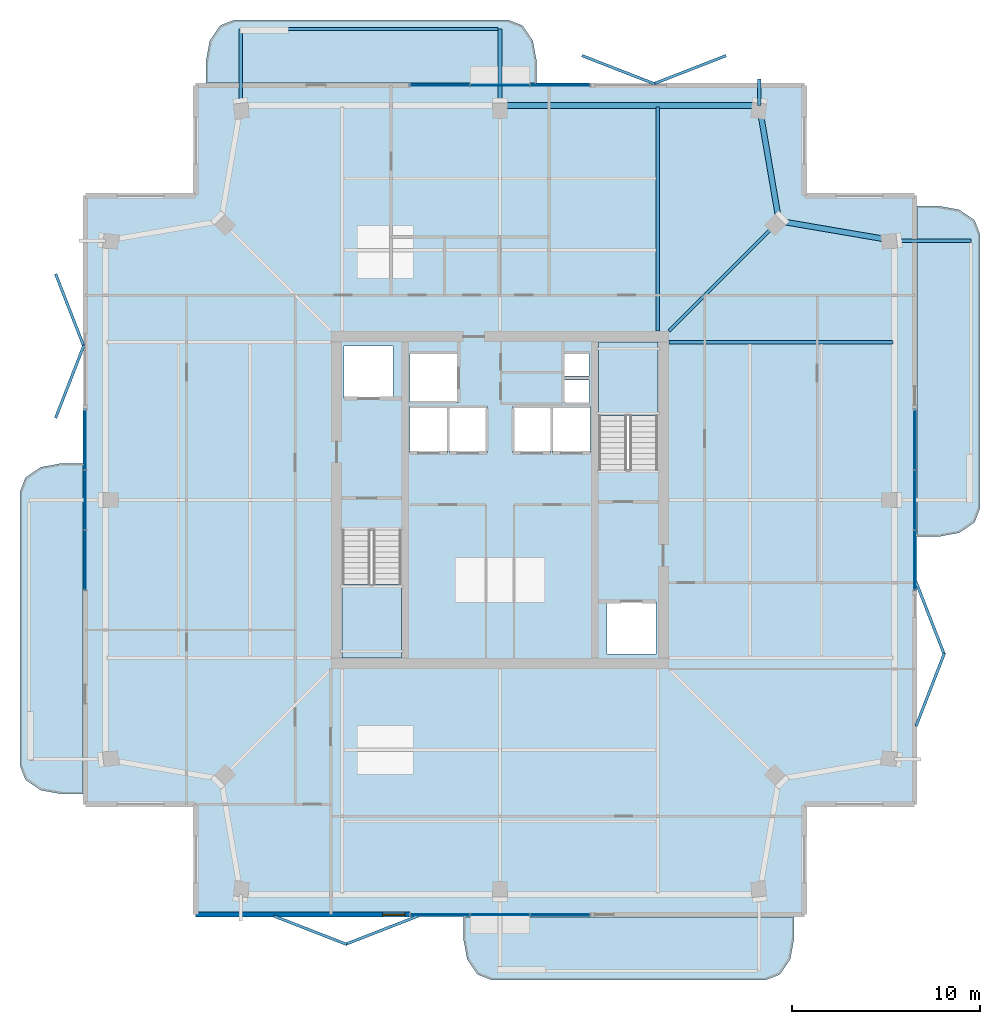
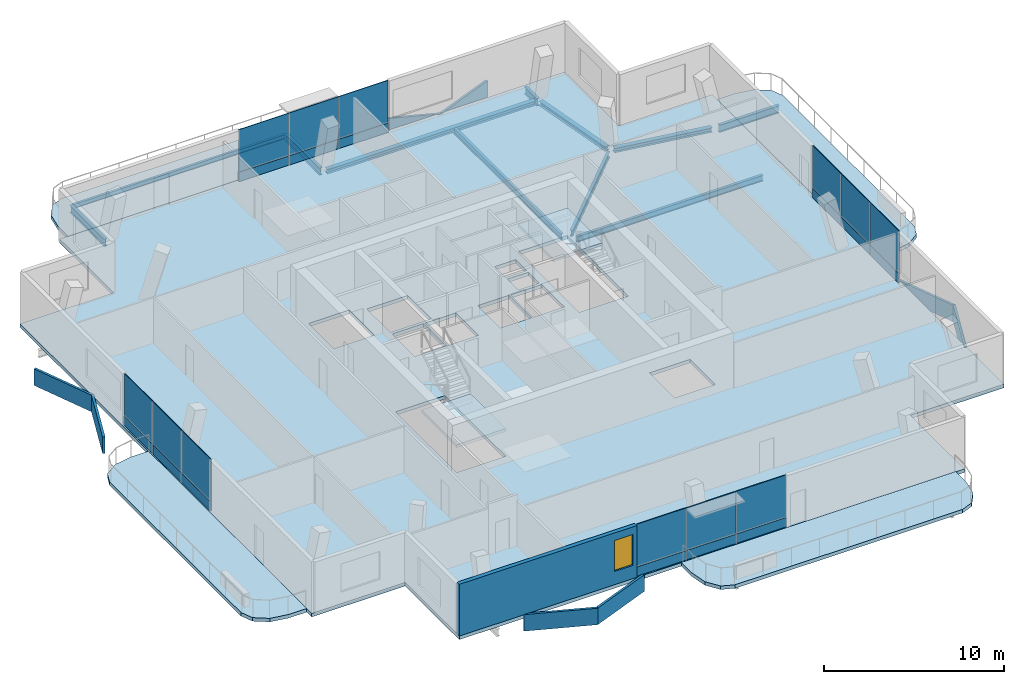
# One storey, part 12 of 19: 32 plates, 11 beams, 7 slabs, 1 wall, 1 window, 1 opening, 6 elements without a shape of their own.
"""IFC4 building model written with IfcOpenShell, lengths in metres."""

from ifc_helpers import new_model, si_unit, direction, frame, frame_2d, origin, origin_2d, place, context, subcontext, project, spatial, polyline, rectangle, i_section, outline, extrude, material, layer, layer_set, material_profile, profile_set, type_object, element, fill, aggregate, save


model = new_model("IFC4")

# Units and contexts
model_context = context("Model", 3, precision=1e-05, world=origin(), true_north=direction((0.0, 1.0)))
body_context = subcontext(model_context, "Body", "Model", "MODEL_VIEW")
ifc_project = project(units=[si_unit("LENGTHUNIT", "METRE"), si_unit("AREAUNIT", "SQUARE_METRE"), si_unit("VOLUMEUNIT", "CUBIC_METRE"), si_unit("PLANEANGLEUNIT", "RADIAN"), si_unit("MASSUNIT", "GRAM", prefix="KILO")], contexts=[model_context])

# Site, building, storey
site_placement = place(None, origin())
site = spatial("IfcSite", under=ifc_project, at=site_placement, CompositionType="ELEMENT")
building_placement = place(site_placement, origin())
building = spatial("IfcBuilding", under=site, at=building_placement, Name="Belovzor Exchange Tower", CompositionType="ELEMENT")
storey_placement = place(building_placement, frame((0.0, 0.0, 340.5)))
storey = spatial("IfcBuildingStorey", under=building, at=storey_placement, Name="L85", CompositionType="ELEMENT", Elevation=340.5)

# Beams
ifc_material_1 = material(Name="Steel S355", Category="steel")
ifc_material_profile_1 = material_profile(ifc_material_1, i_section(OverallWidth=0.199951171875, OverallDepth=0.5, WebThickness=0.01025390625, FlangeThickness=0.01611328125, at=origin_2d()))
ifc_profile_set_1 = profile_set([ifc_material_profile_1], Name="Steel S355")
beam_type_1 = type_object("IfcBeamType", Name="Planted Balcony Cantilever Beam IPE 500", PredefinedType="BEAM", material=ifc_profile_set_1)
for number, where, z_axis, x_axis, name in (
    (1, (28.800048828125, 50.02001953125, -0.489990234375), (0.0, 1.0, 0.0), (-1.0, 0.0, 0.0), "BC-500 Planted Balcony Cantilever Beam IPE 500"),
    (2, (15.0, 50.02001953125, -0.489990234375), (0.0, 1.0, 0.0), (-1.0, 0.0, 0.0), "BC-500 Planted Balcony Cantilever Beam IPE 500"),
    (3, (50.02001953125, 42.60009765625, -0.489990234375), (1.0, 0.0, 0.0), (0.0, 1.0, 0.0), "BC-500 Planted Balcony Cantilever Beam IPE 500"),
):
    element("IfcBeam", number, at=place(storey_placement, frame(where, z_axis=z_axis, x_axis=x_axis)), inside=storey, type_object=beam_type_1, Name=name, PredefinedType="BEAM", context=body_context, shape_type="SweptSolid", body=[
        extrude(i_section(OverallWidth=0.199951171875, OverallDepth=0.5, WebThickness=0.01025390625, FlangeThickness=0.01611328125, at=origin_2d()), origin(), (0.0, 0.0, 1.0), 3.85009765625),
    ])
beam_1_placement = place(storey_placement, frame((42.60009765625, 49.800048828125, -0.489990234375), z_axis=(0.0, 1.0, 0.0), x_axis=(-1.0, 0.0, 0.0)))
element("IfcBeam", 4, at=beam_1_placement, inside=storey, type_object=beam_type_1, Name="BC-500 Planted Balcony Cantilever Beam IPE 500", PredefinedType="BEAM", context=body_context, shape_type="SweptSolid", body=[
    extrude(i_section(OverallWidth=0.199951171875, OverallDepth=0.5, WebThickness=0.01025390625, FlangeThickness=0.01611328125, at=origin_2d()), origin(), (0.0, 0.0, 1.0), 1.39990234375),
])
ifc_material_2 = material(Name="Steel S355", Category="steel")
ifc_material_profile_2 = material_profile(ifc_material_2, i_section(OverallWidth=0.14990234375, OverallDepth=0.300048828125, WebThickness=0.007080078125, FlangeThickness=0.0107421875, at=origin_2d()))
ifc_profile_set_2 = profile_set([ifc_material_profile_2], Name="Steel S355")
beam_type_2 = type_object("IfcBeamType", Name="Planted Balcony Fascia Edge Beam IPE 300", PredefinedType="BEAM", material=ifc_profile_set_2)
beam_2_placement = place(storey_placement, frame((28.699951171875, 53.8701171875, -0.389892578125), z_axis=(-1.0, 0.0, 0.0), x_axis=(0.0, -1.0, 0.0)))
element("IfcBeam", 5, at=beam_2_placement, inside=storey, type_object=beam_type_2, Name="BC-300 Planted Balcony Fascia Edge Beam IPE 300", PredefinedType="BEAM", context=body_context, shape_type="SweptSolid", body=[
    extrude(i_section(OverallWidth=0.14990234375, OverallDepth=0.300048828125, WebThickness=0.007080078125, FlangeThickness=0.0107421875, at=origin_2d()), origin(), (0.0, 0.0, 1.0), 13.599853515625),
])
ifc_material_3 = material(Name="Steel S355", Category="steel")
ifc_material_profile_3 = material_profile(ifc_material_3, i_section(OverallWidth=0.179931640625, OverallDepth=0.39990234375, WebThickness=0.008544921875, FlangeThickness=0.013427734375, at=origin_2d()))
ifc_profile_set_3 = profile_set([ifc_material_profile_3], Name="Steel S355")
beam_type_3 = type_object("IfcBeamType", Name="Zone 5-6 Radial Composite Floor Beam IPE 400", PredefinedType="BEAM", material=ifc_profile_set_3)
for number, where, z_axis, x_axis, name in (
    (6, (37.199951171875, 37.800048828125, -0.43994140625), (0.0, 1.0, 0.0), (-1.0, 0.0, 0.0), "FB-400 Zone 5-6 Radial Composite Floor Beam IPE 400"),
    (7, (37.800048828125, 37.199951171875, -0.43994140625), (1.0, 0.0, 0.0), (0.0, 1.0, 0.0), "FB-400 Zone 5-6 Radial Composite Floor Beam IPE 400"),
):
    element("IfcBeam", number, at=place(storey_placement, frame(where, z_axis=z_axis, x_axis=x_axis)), inside=storey, type_object=beam_type_3, Name=name, PredefinedType="BEAM", context=body_context, shape_type="SweptSolid", body=[
        extrude(i_section(OverallWidth=0.179931640625, OverallDepth=0.39990234375, WebThickness=0.008544921875, FlangeThickness=0.013427734375, at=origin_2d()), origin(), (0.0, 0.0, 1.0), 11.925048828125),
    ])
beam_3_placement = place(storey_placement, frame((37.800048828125, 37.800048828125, -0.43994140625), z_axis=(0.707106781187, 0.707106781187, 0.0), x_axis=(-0.707106781187, 0.707106781187, 0.0)))
element("IfcBeam", 8, at=beam_3_placement, inside=storey, type_object=beam_type_3, Name="FB-400 Zone 5-6 Radial Composite Floor Beam IPE 400", PredefinedType="BEAM", context=body_context, shape_type="SweptSolid", body=[
    extrude(i_section(OverallWidth=0.179931640625, OverallDepth=0.39990234375, WebThickness=0.008544921875, FlangeThickness=0.013427734375, at=origin_2d()), origin(), (0.0, 0.0, 1.0), 7.990234375),
])
ifc_material_4 = material(Name="Steel S355", Category="steel")
ifc_material_profile_4 = material_profile(ifc_material_4, i_section(OverallWidth=0.300048828125, OverallDepth=0.300048828125, WebThickness=0.008544921875, FlangeThickness=0.013916015625, at=origin_2d()))
ifc_profile_set_4 = profile_set([ifc_material_profile_4], Name="Steel S355")
beam_type_4 = type_object("IfcBeamType", Name="Zone 6 Primary Girder HEA 300", PredefinedType="BEAM", material=ifc_profile_set_4)
for number, where, z_axis, x_axis, name in (
    (9, (49.5830078125, 42.636962890625, -0.389892578125), (-0.98573182557, 0.168323403179, 0.0), (-0.168323403179, -0.98573182557, 0.0), "FG-Z6 Zone 6 Primary Girder HEA 300"),
    (10, (43.613037109375, 43.866943359375, -0.389892578125), (-0.168323403179, 0.98573182557, 0.0), (-0.98573182557, -0.168323403179, 0.0), "FG-Z6 Zone 6 Primary Girder HEA 300"),
):
    element("IfcBeam", number, at=place(storey_placement, frame(where, z_axis=z_axis, x_axis=x_axis)), inside=storey, type_object=beam_type_4, Name=name, PredefinedType="BEAM", context=body_context, shape_type="SweptSolid", body=[
        extrude(i_section(OverallWidth=0.300048828125, OverallDepth=0.300048828125, WebThickness=0.008544921875, FlangeThickness=0.013916015625, at=origin_2d()), origin(), (0.0, 0.0, 1.0), 5.798828125),
    ])
beam_4_placement = place(storey_placement, frame((42.3798828125, 49.800048828125, -0.389892578125), z_axis=(-1.0, 0.0, 0.0), x_axis=(0.0, -1.0, 0.0)))
element("IfcBeam", 11, at=beam_4_placement, inside=storey, type_object=beam_type_4, Name="FG-Z6 Zone 6 Primary Girder HEA 300", PredefinedType="BEAM", context=body_context, shape_type="SweptSolid", body=[
    extrude(i_section(OverallWidth=0.300048828125, OverallDepth=0.300048828125, WebThickness=0.008544921875, FlangeThickness=0.013916015625, at=origin_2d()), origin(), (0.0, 0.0, 1.0), 13.35986328125),
])

# Slab
ifc_material_5 = material(Name="Concrete C40/50", Category="concrete")
ifc_layer_1 = layer(ifc_material_5, 0.239990234375)
ifc_layer_set_1 = layer_set([ifc_layer_1], Name="Concrete C40/50")
slab_type_1 = type_object("IfcSlabType", Name="Composite High-Rise Floor Deck Slab 240", PredefinedType="FLOOR", material=ifc_layer_set_1)
slab_1_placement = place(storey_placement, frame((0.0, 0.0, -0.239990234375)))
element("IfcSlab", 12, at=slab_1_placement, inside=storey, type_object=slab_type_1, Name="SL-F240 Structural Slab L85", PredefinedType="FLOOR", context=body_context, shape_type="SweptSolid", body=[
    extrude(outline(polyline([(12.60009765625, 6.60009765625), (45.0, 6.60009765625), (45.0, 12.60009765625), (51.0, 12.60009765625), (51.0, 45.0), (45.0, 45.0), (45.0, 51.0), (12.60009765625, 51.0), (12.60009765625, 45.0), (6.60009765625, 45.0), (6.60009765625, 12.60009765625), (12.60009765625, 12.60009765625), (12.60009765625, 6.60009765625)]), holes=[polyline([(20.39990234375, 27.175048828125), (20.39990234375, 20.39990234375), (23.550048828125, 20.39990234375), (23.550048828125, 27.175048828125), (20.39990234375, 27.175048828125)]), polyline([(37.199951171875, 30.425048828125), (37.199951171875, 37.199951171875), (34.050048828125, 37.199951171875), (34.050048828125, 30.425048828125), (37.199951171875, 30.425048828125)]), polyline([(20.5, 34.199951171875), (23.10009765625, 34.199951171875), (23.10009765625, 37.0), (20.5, 37.0), (20.5, 34.199951171875)]), polyline([(34.5, 20.60009765625), (37.10009765625, 20.60009765625), (37.10009765625, 23.39990234375), (34.5, 23.39990234375), (34.5, 20.60009765625)]), polyline([(24.0, 34.0), (26.60009765625, 34.0), (26.60009765625, 36.60009765625), (24.0, 36.60009765625), (24.0, 34.0)]), polyline([(24.0, 31.300048828125), (26.0, 31.300048828125), (26.0, 33.800048828125), (24.0, 33.800048828125), (24.0, 31.300048828125)]), polyline([(26.10009765625, 31.300048828125), (28.10009765625, 31.300048828125), (28.10009765625, 33.800048828125), (26.10009765625, 33.800048828125), (26.10009765625, 31.300048828125)]), polyline([(29.5, 31.300048828125), (31.5, 31.300048828125), (31.5, 33.800048828125), (29.5, 33.800048828125), (29.5, 31.300048828125)]), polyline([(31.60009765625, 31.300048828125), (33.60009765625, 31.300048828125), (33.60009765625, 33.800048828125), (31.60009765625, 33.800048828125), (31.60009765625, 31.300048828125)]), polyline([(32.199951171875, 34.0), (33.550048828125, 34.0), (33.550048828125, 35.199951171875), (32.199951171875, 35.199951171875), (32.199951171875, 34.0)]), polyline([(32.199951171875, 35.39990234375), (33.550048828125, 35.39990234375), (33.550048828125, 36.60009765625), (32.199951171875, 36.60009765625), (32.199951171875, 35.39990234375)])]), origin(), (0.0, 0.0, 1.0), 0.239990234375),
])

# Curtain wall, plates
ifc_material_6 = material(Name="Anodised Aluminium Framing", Category="aluminium")
ifc_layer_2 = layer(ifc_material_6, 0.179931640625)
ifc_layer_set_2 = layer_set([ifc_layer_2], Name="Anodised Aluminium Framing")
curtain_wall_type = type_object("IfcCurtainWallType", Name="Recessed Loggia Low-Iron Triple-Glazed Curtain Wall", PredefinedType="NOTDEFINED", material=ifc_layer_set_2)
curtain_wall_1_placement = place(storey_placement, origin())
curtain_wall_1 = element("IfcCurtainWall", 13, at=curtain_wall_1_placement, inside=storey, type_object=curtain_wall_type, Name="CW3 Recessed Loggia Low-Iron Triple-Glazed Curtain Wall L85", PredefinedType="NOTDEFINED")
ifc_material_7 = material(Name="Solar-Control Triple Glazing", Category="glass")
ifc_layer_3 = layer(ifc_material_7, 0.0439453125)
ifc_layer_set_3 = layer_set([ifc_layer_3], Name="Solar-Control Triple Glazing")
plate_type_1 = type_object("IfcPlateType", Name="Insulated Solar Glazing Curtain Panel 44", PredefinedType="CURTAIN_PANEL", material=ifc_layer_set_3)
plate_1_placement = place(storey_placement, frame((32.0, 6.72998046875, 0.634033203125), z_axis=(0.0, 0.0, 1.0), x_axis=(-1.0, 0.0, 0.0)))
plate_1 = element("IfcPlate", 14, at=plate_1_placement, type_object=plate_type_1, Name="GLZ-44 Glazed Curtain Panel 1", PredefinedType="CURTAIN_PANEL", context=body_context, shape_type="SweptSolid", body=[
    extrude(rectangle(XDim=3.18408203125, YDim=0.0439453125, at=origin_2d()), origin(), (0.0, 0.0, 1.0), 2.8759765625),
])
plate_2_placement = place(storey_placement, frame((28.800048828125, 6.72998046875, 0.634033203125), z_axis=(0.0, 0.0, 1.0), x_axis=(-1.0, 0.0, 0.0)))
plate_2 = element("IfcPlate", 15, at=plate_2_placement, type_object=plate_type_1, Name="GLZ-44 Glazed Curtain Panel 2", PredefinedType="CURTAIN_PANEL", context=body_context, shape_type="SweptSolid", body=[
    extrude(rectangle(XDim=3.18408203125, YDim=0.0439453125, at=origin_2d()), origin(), (0.0, 0.0, 1.0), 2.8759765625),
])
plate_3_placement = place(storey_placement, frame((25.60009765625, 6.72998046875, 0.634033203125), z_axis=(0.0, 0.0, 1.0), x_axis=(-1.0, 0.0, 0.0)))
plate_3 = element("IfcPlate", 16, at=plate_3_placement, type_object=plate_type_1, Name="GLZ-44 Glazed Curtain Panel 3", PredefinedType="CURTAIN_PANEL", context=body_context, shape_type="SweptSolid", body=[
    extrude(rectangle(XDim=3.18408203125, YDim=0.0439453125, at=origin_2d()), origin(), (0.0, 0.0, 1.0), 2.8759765625),
])

curtain_wall_2_placement = place(storey_placement, origin())
curtain_wall_2 = element("IfcCurtainWall", 17, at=curtain_wall_2_placement, inside=storey, type_object=curtain_wall_type, Name="CW3 Recessed Loggia Low-Iron Triple-Glazed Curtain Wall L85", PredefinedType="NOTDEFINED")
plate_4_placement = place(storey_placement, frame((25.60009765625, 50.8701171875, 0.634033203125), z_axis=(0.0, 0.0, 1.0), x_axis=(1.0, 0.0, 0.0)))
plate_4 = element("IfcPlate", 18, at=plate_4_placement, type_object=plate_type_1, Name="GLZ-44 Glazed Curtain Panel 1", PredefinedType="CURTAIN_PANEL", context=body_context, shape_type="SweptSolid", body=[
    extrude(rectangle(XDim=3.18408203125, YDim=0.0439453125, at=origin_2d()), origin(), (0.0, 0.0, 1.0), 2.8759765625),
])
plate_5_placement = place(storey_placement, frame((28.800048828125, 50.8701171875, 0.634033203125), z_axis=(0.0, 0.0, 1.0), x_axis=(1.0, 0.0, 0.0)))
plate_5 = element("IfcPlate", 19, at=plate_5_placement, type_object=plate_type_1, Name="GLZ-44 Glazed Curtain Panel 2", PredefinedType="CURTAIN_PANEL", context=body_context, shape_type="SweptSolid", body=[
    extrude(rectangle(XDim=3.18408203125, YDim=0.0439453125, at=origin_2d()), origin(), (0.0, 0.0, 1.0), 2.8759765625),
])
plate_6_placement = place(storey_placement, frame((32.0, 50.8701171875, 0.634033203125), z_axis=(0.0, 0.0, 1.0), x_axis=(1.0, 0.0, 0.0)))
plate_6 = element("IfcPlate", 20, at=plate_6_placement, type_object=plate_type_1, Name="GLZ-44 Glazed Curtain Panel 3", PredefinedType="CURTAIN_PANEL", context=body_context, shape_type="SweptSolid", body=[
    extrude(rectangle(XDim=3.18408203125, YDim=0.0439453125, at=origin_2d()), origin(), (0.0, 0.0, 1.0), 2.8759765625),
])

curtain_wall_3_placement = place(storey_placement, origin())
curtain_wall_3 = element("IfcCurtainWall", 21, at=curtain_wall_3_placement, inside=storey, type_object=curtain_wall_type, Name="CW3 Recessed Loggia Low-Iron Triple-Glazed Curtain Wall L85", PredefinedType="NOTDEFINED")
plate_7_placement = place(storey_placement, frame((6.72998046875, 25.60009765625, 0.634033203125), z_axis=(0.0, 0.0, 1.0), x_axis=(0.0, 1.0, 0.0)))
plate_7 = element("IfcPlate", 22, at=plate_7_placement, type_object=plate_type_1, Name="GLZ-44 Glazed Curtain Panel 1", PredefinedType="CURTAIN_PANEL", context=body_context, shape_type="SweptSolid", body=[
    extrude(rectangle(XDim=3.18408203125, YDim=0.0439453125, at=origin_2d()), origin(), (0.0, 0.0, 1.0), 2.8759765625),
])
plate_8_placement = place(storey_placement, frame((6.72998046875, 28.800048828125, 0.634033203125), z_axis=(0.0, 0.0, 1.0), x_axis=(0.0, 1.0, 0.0)))
plate_8 = element("IfcPlate", 23, at=plate_8_placement, type_object=plate_type_1, Name="GLZ-44 Glazed Curtain Panel 2", PredefinedType="CURTAIN_PANEL", context=body_context, shape_type="SweptSolid", body=[
    extrude(rectangle(XDim=3.18408203125, YDim=0.0439453125, at=origin_2d()), origin(), (0.0, 0.0, 1.0), 2.8759765625),
])
plate_9_placement = place(storey_placement, frame((6.72998046875, 32.0, 0.634033203125), z_axis=(0.0, 0.0, 1.0), x_axis=(0.0, 1.0, 0.0)))
plate_9 = element("IfcPlate", 24, at=plate_9_placement, type_object=plate_type_1, Name="GLZ-44 Glazed Curtain Panel 3", PredefinedType="CURTAIN_PANEL", context=body_context, shape_type="SweptSolid", body=[
    extrude(rectangle(XDim=3.18408203125, YDim=0.0439453125, at=origin_2d()), origin(), (0.0, 0.0, 1.0), 2.8759765625),
])

curtain_wall_4_placement = place(storey_placement, origin())
curtain_wall_4 = element("IfcCurtainWall", 25, at=curtain_wall_4_placement, inside=storey, type_object=curtain_wall_type, Name="CW3 Recessed Loggia Low-Iron Triple-Glazed Curtain Wall L85", PredefinedType="NOTDEFINED")
plate_10_placement = place(storey_placement, frame((50.8701171875, 32.0, 0.634033203125), z_axis=(0.0, 0.0, 1.0), x_axis=(0.0, -1.0, 0.0)))
plate_10 = element("IfcPlate", 26, at=plate_10_placement, type_object=plate_type_1, Name="GLZ-44 Glazed Curtain Panel 1", PredefinedType="CURTAIN_PANEL", context=body_context, shape_type="SweptSolid", body=[
    extrude(rectangle(XDim=3.18408203125, YDim=0.0439453125, at=origin_2d()), origin(), (0.0, 0.0, 1.0), 2.8759765625),
])
plate_11_placement = place(storey_placement, frame((50.8701171875, 28.800048828125, 0.634033203125), z_axis=(0.0, 0.0, 1.0), x_axis=(0.0, -1.0, 0.0)))
plate_11 = element("IfcPlate", 27, at=plate_11_placement, type_object=plate_type_1, Name="GLZ-44 Glazed Curtain Panel 2", PredefinedType="CURTAIN_PANEL", context=body_context, shape_type="SweptSolid", body=[
    extrude(rectangle(XDim=3.18408203125, YDim=0.0439453125, at=origin_2d()), origin(), (0.0, 0.0, 1.0), 2.8759765625),
])
plate_12_placement = place(storey_placement, frame((50.8701171875, 25.60009765625, 0.634033203125), z_axis=(0.0, 0.0, 1.0), x_axis=(0.0, -1.0, 0.0)))
plate_12 = element("IfcPlate", 28, at=plate_12_placement, type_object=plate_type_1, Name="GLZ-44 Glazed Curtain Panel 3", PredefinedType="CURTAIN_PANEL", context=body_context, shape_type="SweptSolid", body=[
    extrude(rectangle(XDim=3.18408203125, YDim=0.0439453125, at=origin_2d()), origin(), (0.0, 0.0, 1.0), 2.8759765625),
])

# Stair, slab
ifc_material_8 = material(Name="Concrete C40/50", Category="concrete")
stair_type = type_object("IfcStairType", Name="Reinforced Concrete Dogleg Escape Stair 1350", PredefinedType="HALF_TURN_STAIR", material=ifc_material_8)
stair_1_placement = place(storey_placement, origin())
stair_1 = element("IfcStair", 29, at=stair_1_placement, inside=storey, type_object=stair_type, Name="L85 ST-1", PredefinedType="HALF_TURN_STAIR")
ifc_material_9 = material(Name="Concrete C40/50", Category="concrete")
ifc_layer_4 = layer(ifc_material_9, 0.199951171875)
ifc_layer_set_4 = layer_set([ifc_layer_4], Name="Concrete C40/50")
slab_type_2 = type_object("IfcSlabType", Name="Reinforced Concrete Stair Half-Landing Slab 200", PredefinedType="LANDING", material=ifc_layer_set_4)
slab_2_placement = place(storey_placement, frame((0.0, 0.0, 1.675048828125)))
slab_2 = element("IfcSlab", 30, at=slab_2_placement, type_object=slab_type_2, Name="ST-1 landing 1", PredefinedType="LANDING", context=body_context, shape_type="SweptSolid", body=[
    extrude(outline(polyline([(20.39990234375, 24.300048828125), (20.39990234375, 20.39990234375), (23.550048828125, 20.39990234375), (23.550048828125, 24.300048828125), (20.39990234375, 24.300048828125)])), origin(), (0.0, 0.0, 1.0), 0.199951171875),
])
aggregate(stair_1, [slab_2])

stair_2_placement = place(storey_placement, origin())
stair_2 = element("IfcStair", 31, at=stair_2_placement, inside=storey, type_object=stair_type, Name="L85 ST-2", PredefinedType="HALF_TURN_STAIR")
slab_3_placement = place(storey_placement, frame((0.0, 0.0, 1.675048828125)))
slab_3 = element("IfcSlab", 32, at=slab_3_placement, type_object=slab_type_2, Name="ST-2 landing 1", PredefinedType="LANDING", context=body_context, shape_type="SweptSolid", body=[
    extrude(outline(polyline([(37.199951171875, 33.300048828125), (37.199951171875, 37.199951171875), (34.050048828125, 37.199951171875), (34.050048828125, 33.300048828125), (37.199951171875, 33.300048828125)])), origin(), (0.0, 0.0, 1.0), 0.199951171875),
])
aggregate(stair_2, [slab_3])

# Plate
ifc_material_10 = material(Name="Extruded Architectural Terracotta", Category="masonry")
ifc_layer_5 = layer(ifc_material_10, 0.090087890625)
ifc_layer_set_5 = layer_set([ifc_layer_5], Name="Extruded Architectural Terracotta")
plate_type_2 = type_object("IfcPlateType", Name="Terracotta Shadow-Box Spandrel Panel 90", PredefinedType="CURTAIN_PANEL", material=ifc_layer_set_5)
plate_13_placement = place(storey_placement, frame((32.0, 6.72998046875, 0.0), z_axis=(0.0, 0.0, 1.0), x_axis=(-1.0, 0.0, 0.0)))
plate_13 = element("IfcPlate", 33, at=plate_13_placement, type_object=plate_type_2, Name="SPD-90 Spandrel Panel 1", PredefinedType="CURTAIN_PANEL", context=body_context, shape_type="SweptSolid", body=[
    extrude(rectangle(XDim=3.18408203125, YDim=0.090087890625, at=origin_2d()), origin(), (0.0, 0.0, 1.0), 0.6298828125),
])

plate_14_placement = place(storey_placement, frame((28.800048828125, 6.72998046875, 0.0), z_axis=(0.0, 0.0, 1.0), x_axis=(-1.0, 0.0, 0.0)))
plate_14 = element("IfcPlate", 34, at=plate_14_placement, type_object=plate_type_2, Name="SPD-90 Spandrel Panel 2", PredefinedType="CURTAIN_PANEL", context=body_context, shape_type="SweptSolid", body=[
    extrude(rectangle(XDim=3.18408203125, YDim=0.090087890625, at=origin_2d()), origin(), (0.0, 0.0, 1.0), 0.6298828125),
])

plate_15_placement = place(storey_placement, frame((25.60009765625, 6.72998046875, 0.0), z_axis=(0.0, 0.0, 1.0), x_axis=(-1.0, 0.0, 0.0)))
plate_15 = element("IfcPlate", 35, at=plate_15_placement, type_object=plate_type_2, Name="SPD-90 Spandrel Panel 3", PredefinedType="CURTAIN_PANEL", context=body_context, shape_type="SweptSolid", body=[
    extrude(rectangle(XDim=3.18408203125, YDim=0.090087890625, at=origin_2d()), origin(), (0.0, 0.0, 1.0), 0.6298828125),
])

aggregate(curtain_wall_1, [plate_13, plate_1, plate_14, plate_2, plate_15, plate_3])

plate_16_placement = place(storey_placement, frame((25.60009765625, 50.8701171875, 0.0), z_axis=(0.0, 0.0, 1.0), x_axis=(1.0, 0.0, 0.0)))
plate_16 = element("IfcPlate", 36, at=plate_16_placement, type_object=plate_type_2, Name="SPD-90 Spandrel Panel 1", PredefinedType="CURTAIN_PANEL", context=body_context, shape_type="SweptSolid", body=[
    extrude(rectangle(XDim=3.18408203125, YDim=0.090087890625, at=origin_2d()), origin(), (0.0, 0.0, 1.0), 0.6298828125),
])

plate_17_placement = place(storey_placement, frame((28.800048828125, 50.8701171875, 0.0), z_axis=(0.0, 0.0, 1.0), x_axis=(1.0, 0.0, 0.0)))
plate_17 = element("IfcPlate", 37, at=plate_17_placement, type_object=plate_type_2, Name="SPD-90 Spandrel Panel 2", PredefinedType="CURTAIN_PANEL", context=body_context, shape_type="SweptSolid", body=[
    extrude(rectangle(XDim=3.18408203125, YDim=0.090087890625, at=origin_2d()), origin(), (0.0, 0.0, 1.0), 0.6298828125),
])

plate_18_placement = place(storey_placement, frame((32.0, 50.8701171875, 0.0), z_axis=(0.0, 0.0, 1.0), x_axis=(1.0, 0.0, 0.0)))
plate_18 = element("IfcPlate", 38, at=plate_18_placement, type_object=plate_type_2, Name="SPD-90 Spandrel Panel 3", PredefinedType="CURTAIN_PANEL", context=body_context, shape_type="SweptSolid", body=[
    extrude(rectangle(XDim=3.18408203125, YDim=0.090087890625, at=origin_2d()), origin(), (0.0, 0.0, 1.0), 0.6298828125),
])

aggregate(curtain_wall_2, [plate_16, plate_4, plate_17, plate_5, plate_18, plate_6])

plate_19_placement = place(storey_placement, frame((6.72998046875, 25.60009765625, 0.0), z_axis=(0.0, 0.0, 1.0), x_axis=(0.0, 1.0, 0.0)))
plate_19 = element("IfcPlate", 39, at=plate_19_placement, type_object=plate_type_2, Name="SPD-90 Spandrel Panel 1", PredefinedType="CURTAIN_PANEL", context=body_context, shape_type="SweptSolid", body=[
    extrude(rectangle(XDim=3.18408203125, YDim=0.090087890625, at=origin_2d()), origin(), (0.0, 0.0, 1.0), 0.6298828125),
])

plate_20_placement = place(storey_placement, frame((6.72998046875, 28.800048828125, 0.0), z_axis=(0.0, 0.0, 1.0), x_axis=(0.0, 1.0, 0.0)))
plate_20 = element("IfcPlate", 40, at=plate_20_placement, type_object=plate_type_2, Name="SPD-90 Spandrel Panel 2", PredefinedType="CURTAIN_PANEL", context=body_context, shape_type="SweptSolid", body=[
    extrude(rectangle(XDim=3.18408203125, YDim=0.090087890625, at=origin_2d()), origin(), (0.0, 0.0, 1.0), 0.6298828125),
])

plate_21_placement = place(storey_placement, frame((6.72998046875, 32.0, 0.0), z_axis=(0.0, 0.0, 1.0), x_axis=(0.0, 1.0, 0.0)))
plate_21 = element("IfcPlate", 41, at=plate_21_placement, type_object=plate_type_2, Name="SPD-90 Spandrel Panel 3", PredefinedType="CURTAIN_PANEL", context=body_context, shape_type="SweptSolid", body=[
    extrude(rectangle(XDim=3.18408203125, YDim=0.090087890625, at=origin_2d()), origin(), (0.0, 0.0, 1.0), 0.6298828125),
])

aggregate(curtain_wall_3, [plate_19, plate_7, plate_20, plate_8, plate_21, plate_9])

plate_22_placement = place(storey_placement, frame((50.8701171875, 32.0, 0.0), z_axis=(0.0, 0.0, 1.0), x_axis=(0.0, -1.0, 0.0)))
plate_22 = element("IfcPlate", 42, at=plate_22_placement, type_object=plate_type_2, Name="SPD-90 Spandrel Panel 1", PredefinedType="CURTAIN_PANEL", context=body_context, shape_type="SweptSolid", body=[
    extrude(rectangle(XDim=3.18408203125, YDim=0.090087890625, at=origin_2d()), origin(), (0.0, 0.0, 1.0), 0.6298828125),
])

plate_23_placement = place(storey_placement, frame((50.8701171875, 28.800048828125, 0.0), z_axis=(0.0, 0.0, 1.0), x_axis=(0.0, -1.0, 0.0)))
plate_23 = element("IfcPlate", 43, at=plate_23_placement, type_object=plate_type_2, Name="SPD-90 Spandrel Panel 2", PredefinedType="CURTAIN_PANEL", context=body_context, shape_type="SweptSolid", body=[
    extrude(rectangle(XDim=3.18408203125, YDim=0.090087890625, at=origin_2d()), origin(), (0.0, 0.0, 1.0), 0.6298828125),
])

plate_24_placement = place(storey_placement, frame((50.8701171875, 25.60009765625, 0.0), z_axis=(0.0, 0.0, 1.0), x_axis=(0.0, -1.0, 0.0)))
plate_24 = element("IfcPlate", 44, at=plate_24_placement, type_object=plate_type_2, Name="SPD-90 Spandrel Panel 3", PredefinedType="CURTAIN_PANEL", context=body_context, shape_type="SweptSolid", body=[
    extrude(rectangle(XDim=3.18408203125, YDim=0.090087890625, at=origin_2d()), origin(), (0.0, 0.0, 1.0), 0.6298828125),
])

aggregate(curtain_wall_4, [plate_22, plate_10, plate_23, plate_11, plate_24, plate_12])

# Slabs
ifc_material_11 = material(Name="Concrete C40/50", Category="concrete")
ifc_layer_6 = layer(ifc_material_11, 0.239990234375)
ifc_layer_set_6 = layer_set([ifc_layer_6], Name="Concrete C40/50")
slab_type_3 = type_object("IfcSlabType", Name="Thermally Broken Upper Balcony Slab 240", PredefinedType="FLOOR", material=ifc_layer_set_6)
slab_4_placement = place(storey_placement, frame((0.0, 0.0, -0.239990234375)))
element("IfcSlab", 45, at=slab_4_placement, inside=storey, type_object=slab_type_3, Name="SL-BAL220 Planted Balcony Loggia L85 South", PredefinedType="FLOOR", context=body_context, shape_type="SweptSolid", body=[
    extrude(outline(polyline([(26.85009765625, 6.614990234375), (26.85009765625, 5.449951171875), (27.051025390625, 4.35009765625), (27.60009765625, 3.544921875), (28.35009765625, 3.25), (42.949951171875, 3.25), (43.699951171875, 3.544921875), (44.2490234375, 4.35009765625), (44.449951171875, 5.449951171875), (44.449951171875, 6.614990234375), (26.85009765625, 6.614990234375)])), origin(), (0.0, 0.0, 1.0), 0.239990234375),
])
slab_5_placement = place(storey_placement, frame((0.0, 0.0, -0.239990234375)))
element("IfcSlab", 46, at=slab_5_placement, inside=storey, type_object=slab_type_3, Name="SL-BAL220 Planted Balcony Loggia L85 North", PredefinedType="FLOOR", context=body_context, shape_type="SweptSolid", body=[
    extrude(outline(polyline([(30.75, 50.985107421875), (30.75, 52.14990234375), (30.549072265625, 53.25), (30.0, 54.054931640625), (29.25, 54.35009765625), (14.64990234375, 54.35009765625), (13.89990234375, 54.054931640625), (13.35107421875, 53.25), (13.14990234375, 52.14990234375), (13.14990234375, 50.985107421875), (30.75, 50.985107421875)])), origin(), (0.0, 0.0, 1.0), 0.239990234375),
])
slab_6_placement = place(storey_placement, frame((0.0, 0.0, -0.239990234375)))
element("IfcSlab", 47, at=slab_6_placement, inside=storey, type_object=slab_type_3, Name="SL-BAL220 Planted Balcony Loggia L85 East", PredefinedType="FLOOR", context=body_context, shape_type="SweptSolid", body=[
    extrude(outline(polyline([(50.985107421875, 26.85009765625), (52.14990234375, 26.85009765625), (53.25, 27.051025390625), (54.054931640625, 27.60009765625), (54.35009765625, 28.35009765625), (54.35009765625, 42.949951171875), (54.054931640625, 43.699951171875), (53.25, 44.2490234375), (52.14990234375, 44.449951171875), (50.985107421875, 44.449951171875), (50.985107421875, 26.85009765625)])), origin(), (0.0, 0.0, 1.0), 0.239990234375),
])
slab_7_placement = place(storey_placement, frame((0.0, 0.0, -0.239990234375)))
element("IfcSlab", 48, at=slab_7_placement, inside=storey, type_object=slab_type_3, Name="SL-BAL220 Planted Balcony Loggia L85 West", PredefinedType="FLOOR", context=body_context, shape_type="SweptSolid", body=[
    extrude(outline(polyline([(6.614990234375, 30.75), (5.449951171875, 30.75), (4.35009765625, 30.549072265625), (3.544921875, 30.0), (3.25, 29.25), (3.25, 14.64990234375), (3.544921875, 13.89990234375), (4.35009765625, 13.35107421875), (5.449951171875, 13.14990234375), (6.614990234375, 13.14990234375), (6.614990234375, 30.75)])), origin(), (0.0, 0.0, 1.0), 0.239990234375),
])

# Plates
ifc_material_12 = material(Name="Extruded Architectural Terracotta", Category="masonry")
ifc_layer_7 = layer(ifc_material_12, 0.14990234375)
ifc_layer_set_7 = layer_set([ifc_layer_7], Name="Extruded Architectural Terracotta")
plate_type_3 = type_object("IfcPlateType", Name="Upper-Crown Deep Folded Zigzag Terracotta Spandrel Louvre 150", PredefinedType="USERDEFINED", material=ifc_layer_set_7)
for number, where, z_axis, x_axis, name in (
    (49, (18.699951171875, 5.89990234375, -1.10498046875), (0.0, 0.0, 1.0), (0.931817969421, -0.362925986758, 0.0), "LVR-ZZ3 Zigzag Terracotta Spandrel Louvre L85 S1A"),
    (50, (22.5, 5.89990234375, -1.10498046875), (0.0, 0.0, 1.0), (0.931817969421, 0.362925986758, 0.0), "LVR-ZZ3 Zigzag Terracotta Spandrel Louvre L85 S1B"),
    (51, (51.699951171875, 18.699951171875, -1.10498046875), (0.0, 0.0, 1.0), (0.362925986758, 0.931817969421, 0.0), "LVR-ZZ3 Zigzag Terracotta Spandrel Louvre L85 E1A"),
    (52, (51.699951171875, 22.5, -1.10498046875), (0.0, 0.0, 1.0), (-0.362925986758, 0.931817969421, 0.0), "LVR-ZZ3 Zigzag Terracotta Spandrel Louvre L85 E1B"),
    (53, (35.10009765625, 51.699951171875, -1.10498046875), (0.0, 0.0, 1.0), (0.931817969421, -0.362925986758, 0.0), "LVR-ZZ3 Zigzag Terracotta Spandrel Louvre L85 N2A"),
    (54, (38.89990234375, 51.699951171875, -1.10498046875), (0.0, 0.0, 1.0), (0.931817969421, 0.362925986758, 0.0), "LVR-ZZ3 Zigzag Terracotta Spandrel Louvre L85 N2B"),
    (55, (5.89990234375, 35.10009765625, -1.10498046875), (0.0, 0.0, 1.0), (0.362925986758, 0.931817969421, 0.0), "LVR-ZZ3 Zigzag Terracotta Spandrel Louvre L85 W2A"),
    (56, (5.89990234375, 38.89990234375, -1.10498046875), (0.0, 0.0, 1.0), (-0.362925986758, 0.931817969421, 0.0), "LVR-ZZ3 Zigzag Terracotta Spandrel Louvre L85 W2B"),
):
    element("IfcPlate", number, at=place(storey_placement, frame(where, z_axis=z_axis, x_axis=x_axis)), inside=storey, type_object=plate_type_3, Name=name, ObjectType="SPANDREL_LOUVRE", PredefinedType="USERDEFINED", context=body_context, shape_type="SweptSolid", body=[
        extrude(rectangle(XDim=4.157958984375, YDim=0.14990234375, at=origin_2d()), origin(), (0.0, 0.0, 1.0), 1.1201171875),
    ])

# Wall, opening, window
ifc_material_13 = material(Name="Precast concrete C40/50", Category="concrete")
ifc_layer_8 = layer(ifc_material_13, 0.260009765625)
ifc_layer_set_8 = layer_set([ifc_layer_8], Name="Precast concrete C40/50")
wall_type = type_object("IfcWallType", Name="Precast Concrete Perimeter Loggia Frame Wall 260", PredefinedType="SOLIDWALL", material=ifc_layer_set_8)
wall_placement = place(storey_placement, frame((24.0, 6.72998046875, 0.0), z_axis=(0.0, 0.0, 1.0), x_axis=(-1.0, 0.0, 0.0)))
wall = element("IfcWall", 57, at=wall_placement, inside=storey, type_object=wall_type, Name="W-EXT260 Precast Concrete Perimeter Loggia Frame Wall 260 L85", PredefinedType="SOLIDWALL", context=body_context, shape_type="SweptSolid", body=[
    extrude(rectangle(XDim=11.39990234375, YDim=0.260009765625, at=frame_2d((5.699951171875, 0.0))), origin(), (0.0, 0.0, 1.0), 3.510009765625),
])
opening_placement = place(wall_placement, frame((0.25, 0.0, 0.89990234375)))
opening = element("IfcOpeningElement", 58, at=opening_placement, cuts=wall, Name="Opening WN-CRN120", PredefinedType="OPENING", context=body_context, shape_type="SweptSolid", body=[
    extrude(rectangle(XDim=1.199951171875, YDim=2.10009765625, at=frame_2d((0.60009765625, 1.050048828125))), frame((0.0, 0.139892578125, 0.0), z_axis=(0.0, -1.0, 0.0), x_axis=(1.0, 0.0, 0.0)), (0.0, 0.0, 1.0), 0.280029296875),
])
ifc_material_14 = material(Name="Thermally Broken Aluminium and Triple Glazing", Category="aluminium")
window_type = type_object("IfcWindowType", Name="Streamline Notched Corner Window 1200x2100", PartitioningType="SINGLE_PANEL", PredefinedType="WINDOW", material=ifc_material_14)
window_placement = place(opening_placement, origin())
window = element("IfcWindow", 59, at=window_placement, inside=storey, type_object=window_type, Name="WN-CRN120 Streamline Notched Corner Window 1200x2100", OverallHeight=2.10009765625, OverallWidth=1.199951171875, PartitioningType="SINGLE_PANEL", PredefinedType="WINDOW", context=body_context, shape_type="SweptSolid", body=[
    extrude(rectangle(XDim=1.199951171875, YDim=2.10009765625, at=frame_2d((0.60009765625, 1.050048828125))), frame((0.0, 0.030029296875, 0.0), z_axis=(0.0, -1.0, 0.0), x_axis=(1.0, 0.0, 0.0)), (0.0, 0.0, 1.0), 0.06005859375),
])
fill(opening, window)

save(model, "model.ifc")
